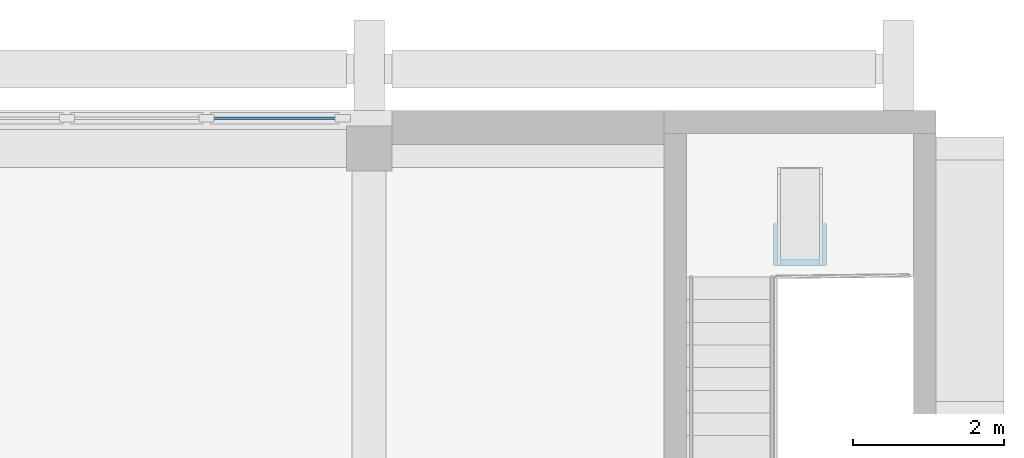
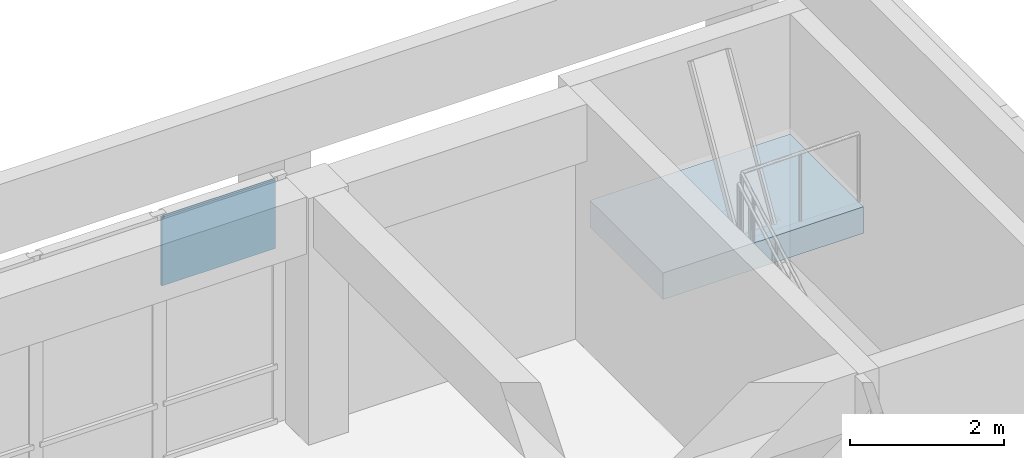
# One storey, part 15 of 21: 1 plate, 1 slab, 1 element without a shape of its own.
"""IFC4 building model written with IfcOpenShell, lengths in metres."""

from ifc_helpers import new_model, si_unit, direction, frame, origin, origin_2d, place, context, subcontext, project, spatial, polyline, rectangle, outline, extrude, material, layer, layer_set, type_object, element, aggregate, save


model = new_model("IFC4")

# Units and contexts
model_context = context("Model", 3, precision=1e-05, world=origin(), true_north=direction((0.0, 1.0)))
body_context = subcontext(model_context, "Body", "Model", "MODEL_VIEW")
ifc_project = project(units=[si_unit("LENGTHUNIT", "METRE"), si_unit("AREAUNIT", "SQUARE_METRE"), si_unit("VOLUMEUNIT", "CUBIC_METRE"), si_unit("PLANEANGLEUNIT", "RADIAN"), si_unit("MASSUNIT", "GRAM", prefix="KILO")], contexts=[model_context])

# Site, building, storey
site_placement = place(None, origin())
site = spatial("IfcSite", under=ifc_project, at=site_placement, CompositionType="ELEMENT")
building_placement = place(site_placement, origin())
building = spatial("IfcBuilding", under=site, at=building_placement, Name="Elmora Arch Market Hall", CompositionType="ELEMENT")
storey_placement = place(building_placement, frame((0.0, 0.0, 14.39990234375)))
storey = spatial("IfcBuildingStorey", under=building, at=storey_placement, Name="L03", CompositionType="ELEMENT", Elevation=14.39990234375)

# Curtain wall, plate
ifc_material_1 = material(Name="Aluminium", Category="aluminium")
curtain_wall_type = type_object("IfcCurtainWallType", Name="School front curtain wall", PredefinedType="NOTDEFINED", material=ifc_material_1)
curtain_wall_placement = place(storey_placement, origin())
curtain_wall = element("IfcCurtainWall", 1, at=curtain_wall_placement, inside=storey, type_object=curtain_wall_type, Name="School street front L03 4", PredefinedType="NOTDEFINED")
ifc_material_2 = material(Name="Glass", Category="glass")
ifc_layer_1 = layer(ifc_material_2, 0.035888671875)
ifc_layer_set_1 = layer_set([ifc_layer_1], Name="Glass")
plate_type = type_object("IfcPlateType", Name="Laminated glass panel 36", PredefinedType="CURTAIN_PANEL", material=ifc_layer_set_1)
plate_placement = place(storey_placement, frame((125.25, 165.89990234375, 2.737548828125), z_axis=(0.0, 0.0, 1.0), x_axis=(1.0, 0.0, 0.0)))
plate = element("IfcPlate", 2, at=plate_placement, type_object=plate_type, Name="CW5 panel 4.3", PredefinedType="CURTAIN_PANEL", context=body_context, shape_type="SweptSolid", body=[
    extrude(rectangle(XDim=1.699951171875, YDim=0.035888671875, at=origin_2d()), origin(), (0.0, 0.0, 1.0), 1.08740234375),
])
aggregate(curtain_wall, [plate])

# Slab
ifc_material_3 = material(Name="Concrete C32/40", Category="concrete")
ifc_layer_2 = layer(ifc_material_3, 0.419921875)
ifc_layer_set_2 = layer_set([ifc_layer_2], Name="Concrete C32/40")
slab_type = type_object("IfcSlabType", Name="Roof access platform 420", PredefinedType="FLOOR", material=ifc_layer_set_2)
slab_placement = place(storey_placement, frame((0.0, 0.0, 1.580078125)))
element("IfcSlab", 3, at=slab_placement, inside=storey, type_object=slab_type, Name="Roof access platform ST-SCE", PredefinedType="FLOOR", context=body_context, shape_type="SweptSolid", body=[
    extrude(outline(polyline([(130.699951171875, 163.800048828125), (133.699951171875, 163.800048828125), (133.699951171875, 165.699951171875), (130.699951171875, 165.699951171875), (130.699951171875, 163.800048828125)])), origin(), (0.0, 0.0, 1.0), 0.419921875),
])

save(model, "model.ifc")
